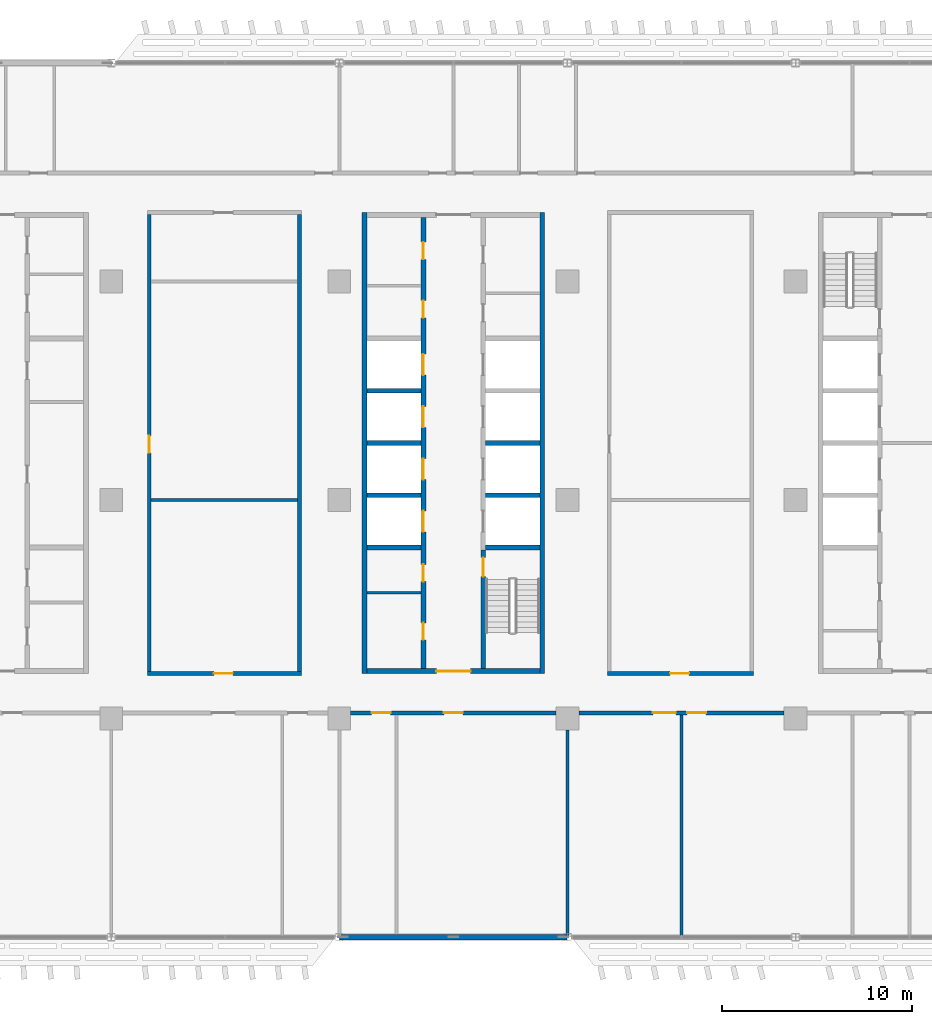
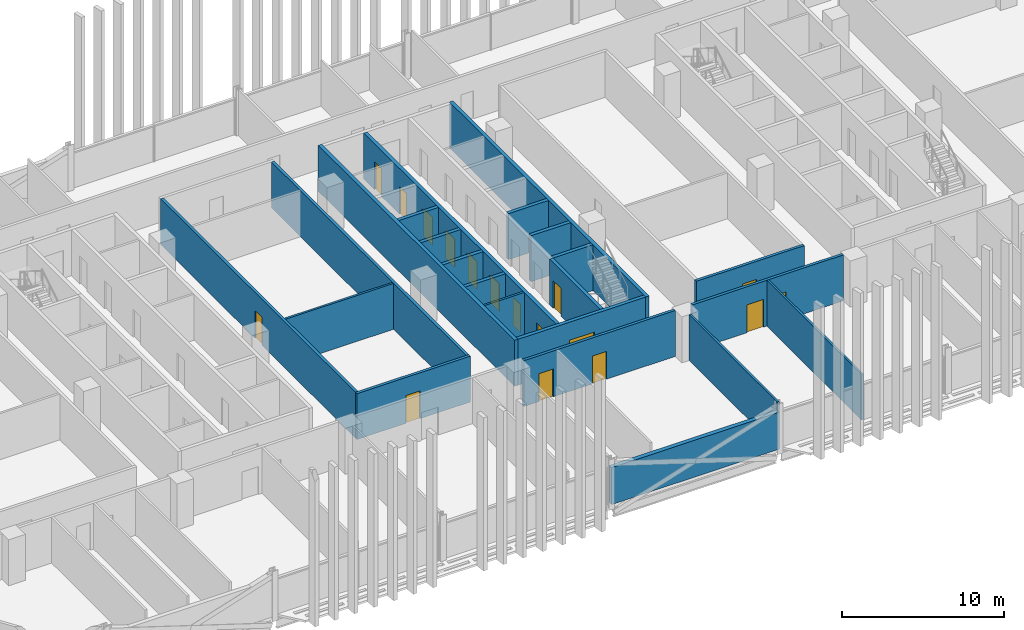
# One storey, part 13 of 28: 23 walls, 17 doors, 17 openings.
"""IFC4 building model written with IfcOpenShell, lengths in metres."""

from ifc_helpers import new_model, si_unit, direction, frame, frame_2d, origin, place, context, subcontext, project, spatial, rectangle, extrude, material, layer, layer_set, type_object, element, fill, save


model = new_model("IFC4")

# Units and contexts
model_context = context("Model", 3, precision=1e-05, world=origin(), true_north=direction((0.0, 1.0)))
body_context = subcontext(model_context, "Body", "Model", "MODEL_VIEW")
ifc_project = project(units=[si_unit("LENGTHUNIT", "METRE"), si_unit("AREAUNIT", "SQUARE_METRE"), si_unit("VOLUMEUNIT", "CUBIC_METRE"), si_unit("PLANEANGLEUNIT", "RADIAN"), si_unit("MASSUNIT", "GRAM", prefix="KILO")], contexts=[model_context])

# Site, building, storey
site_placement = place(None, origin())
site = spatial("IfcSite", under=ifc_project, at=site_placement, CompositionType="ELEMENT")
building_placement = place(site_placement, origin())
building = spatial("IfcBuilding", under=site, at=building_placement, Name="Mahtab Terrace Research Tower", CompositionType="ELEMENT")
storey_placement = place(building_placement, frame((0.0, 0.0, 174.39990234375)))
storey = spatial("IfcBuildingStorey", under=building, at=storey_placement, Name="L41", CompositionType="ELEMENT", Elevation=174.39990234375)

# Walls
ifc_material_1 = material(Name="Gypsum board partition")
ifc_layer_1 = layer(ifc_material_1, 0.14990234375)
ifc_layer_set_1 = layer_set([ifc_layer_1], Name="Core partition 150")
wall_type_1 = type_object("IfcWallType", Name="Core partition 150", PredefinedType="PARTITIONING", material=ifc_layer_set_1)
wall_1_placement = place(storey_placement, frame((-4.550048828125, -4.875, 0.0), z_axis=(0.0, 0.0, 1.0), x_axis=(1.0, 0.0, 0.0)))
element("IfcWall", 1, at=wall_1_placement, inside=storey, type_object=wall_type_1, Name="Core wall B pWS-788", PredefinedType="PARTITIONING", context=body_context, shape_type="SweptSolid", body=[
    extrude(rectangle(XDim=2.85009765625, YDim=0.14990234375, at=frame_2d((1.425048828125, 0.0))), origin(), (0.0, 0.0, 1.0), 3.460205078125),
])
ifc_material_2 = material(Name="Concrete C70/85", Category="concrete")
ifc_layer_2 = layer(ifc_material_2, 0.25)
ifc_layer_set_2 = layer_set([ifc_layer_2], Name="Core wall 250")
wall_type_2 = type_object("IfcWallType", Name="Core wall 250", PredefinedType="SOLIDWALL", material=ifc_layer_set_2)
for number, where, z_axis, x_axis, name in (
    (2, (-4.675048828125, 15.125, 0.0), (0.0, 0.0, 1.0), (0.0, -1.0, 0.0), "Core wall B outerW"),
    (3, (4.675048828125, -9.125, 0.0), (0.0, 0.0, 1.0), (0.0, 1.0, 0.0), "Core wall B outerE"),
):
    element("IfcWall", number, at=place(storey_placement, frame(where, z_axis=z_axis, x_axis=x_axis)), inside=storey, type_object=wall_type_2, Name=name, PredefinedType="SOLIDWALL", context=body_context, shape_type="SweptSolid", body=[
        extrude(rectangle(XDim=24.25, YDim=0.25, at=frame_2d((12.125, 0.0))), origin(), (0.0, 0.0, 1.0), 3.460205078125),
    ])

# Wall, opening, door
wall_2_placement = place(storey_placement, frame((4.550048828125, -9.0, 0.0), z_axis=(0.0, 0.0, 1.0), x_axis=(-1.0, 0.0, 0.0)))
wall_2 = element("IfcWall", 4, at=wall_2_placement, inside=storey, type_object=wall_type_2, Name="Core wall B endS", PredefinedType="SOLIDWALL", context=body_context, shape_type="SweptSolid", body=[
    extrude(rectangle(XDim=9.10009765625, YDim=0.25, at=frame_2d((4.550048828125, 0.0))), origin(), (0.0, 0.0, 1.0), 3.460205078125),
])
opening_1_placement = place(wall_2_placement, frame((3.64990234375, 0.0, 0.0)))
opening_1 = element("IfcOpeningElement", 5, at=opening_1_placement, cuts=wall_2, Name="Opening B-S1", PredefinedType="OPENING", context=body_context, shape_type="SweptSolid", body=[
    extrude(rectangle(XDim=1.800048828125, YDim=2.10009765625, at=frame_2d((0.89990234375, 1.050048828125))), frame((0.0, 0.135009765625, 0.0), z_axis=(0.0, -1.0, 0.0), x_axis=(1.0, 0.0, 0.0)), (0.0, 0.0, 1.0), 0.27001953125),
])
ifc_material_3 = material(Name="Steel fire door", Category="steel")
door_type_1 = type_object("IfcDoorType", Name="Lobby double door 1800x2100 1 HR", OperationType="DOUBLE_DOOR_SINGLE_SWING", PredefinedType="DOOR", material=ifc_material_3)
door_1_placement = place(opening_1_placement, origin())
door_1 = element("IfcDoor", 6, at=door_1_placement, inside=storey, type_object=door_type_1, Name="Core entrance door B S", OperationType="DOUBLE_DOOR_SINGLE_SWING", OverallHeight=2.10009765625, OverallWidth=1.800048828125, PredefinedType="DOOR", context=body_context, shape_type="SweptSolid", body=[
    extrude(rectangle(XDim=1.800048828125, YDim=2.10009765625, at=frame_2d((0.89990234375, 1.050048828125))), frame((0.0, 0.02490234375, 0.0), z_axis=(0.0, -1.0, 0.0), x_axis=(1.0, 0.0, 0.0)), (0.0, 0.0, 1.0), 0.050048828125),
])
fill(opening_1, door_1)

# Wall, openings, doors
wall_3_placement = place(storey_placement, frame((-1.574951171875, -8.875, 0.0), z_axis=(0.0, 0.0, 1.0), x_axis=(0.0, 1.0, 0.0)))
wall_3 = element("IfcWall", 7, at=wall_3_placement, inside=storey, type_object=wall_type_2, Name="Core wall B innerWSLN", PredefinedType="SOLIDWALL", context=body_context, shape_type="SweptSolid", body=[
    extrude(rectangle(XDim=23.75, YDim=0.25, at=frame_2d((11.875, 0.0))), origin(), (0.0, 0.0, 1.0), 3.460205078125),
])
opening_2_placement = place(wall_3_placement, frame((7.199951171875, 0.0, 0.0)))
opening_2 = element("IfcOpeningElement", 8, at=opening_2_placement, cuts=wall_3, Name="Opening LD09-L41", PredefinedType="OPENING", context=body_context, shape_type="SweptSolid", body=[
    extrude(rectangle(XDim=1.10009765625, YDim=2.10009765625, at=frame_2d((0.550048828125, 1.050048828125))), frame((0.0, 0.135009765625, 0.0), z_axis=(0.0, -1.0, 0.0), x_axis=(1.0, 0.0, 0.0)), (0.0, 0.0, 1.0), 0.27001953125),
])
opening_3_placement = place(wall_3_placement, frame((9.949951171875, 0.0, 0.0)))
opening_3 = element("IfcOpeningElement", 9, at=opening_3_placement, cuts=wall_3, Name="Opening LD10-L41", PredefinedType="OPENING", context=body_context, shape_type="SweptSolid", body=[
    extrude(rectangle(XDim=1.10009765625, YDim=2.10009765625, at=frame_2d((0.550048828125, 1.050048828125))), frame((0.0, 0.135009765625, 0.0), z_axis=(0.0, -1.0, 0.0), x_axis=(1.0, 0.0, 0.0)), (0.0, 0.0, 1.0), 0.27001953125),
])
opening_4_placement = place(wall_3_placement, frame((12.699951171875, 0.0, 0.0)))
opening_4 = element("IfcOpeningElement", 10, at=opening_4_placement, cuts=wall_3, Name="Opening LD11-L41", PredefinedType="OPENING", context=body_context, shape_type="SweptSolid", body=[
    extrude(rectangle(XDim=1.10009765625, YDim=2.10009765625, at=frame_2d((0.550048828125, 1.050048828125))), frame((0.0, 0.135009765625, 0.0), z_axis=(0.0, -1.0, 0.0), x_axis=(1.0, 0.0, 0.0)), (0.0, 0.0, 1.0), 0.27001953125),
])
opening_5_placement = place(wall_3_placement, frame((15.449951171875, 0.0, 0.0)))
opening_5 = element("IfcOpeningElement", 11, at=opening_5_placement, cuts=wall_3, Name="Opening LD12-L41", PredefinedType="OPENING", context=body_context, shape_type="SweptSolid", body=[
    extrude(rectangle(XDim=1.10009765625, YDim=2.10009765625, at=frame_2d((0.550048828125, 1.050048828125))), frame((0.0, 0.135009765625, 0.0), z_axis=(0.0, -1.0, 0.0), x_axis=(1.0, 0.0, 0.0)), (0.0, 0.0, 1.0), 0.27001953125),
])
opening_6_placement = place(wall_3_placement, frame((1.512451171875, 0.0, 0.0)))
opening_6 = element("IfcOpeningElement", 12, at=opening_6_placement, cuts=wall_3, Name="Opening B-R1", PredefinedType="OPENING", context=body_context, shape_type="SweptSolid", body=[
    extrude(rectangle(XDim=0.89990234375, YDim=2.10009765625, at=frame_2d((0.449951171875, 1.050048828125))), frame((0.0, 0.135009765625, 0.0), z_axis=(0.0, -1.0, 0.0), x_axis=(1.0, 0.0, 0.0)), (0.0, 0.0, 1.0), 0.27001953125),
])
opening_7_placement = place(wall_3_placement, frame((4.58740234375, 0.0, 0.0)))
opening_7 = element("IfcOpeningElement", 13, at=opening_7_placement, cuts=wall_3, Name="Opening B-R2", PredefinedType="OPENING", context=body_context, shape_type="SweptSolid", body=[
    extrude(rectangle(XDim=0.89990234375, YDim=2.10009765625, at=frame_2d((0.449951171875, 1.050048828125))), frame((0.0, 0.135009765625, 0.0), z_axis=(0.0, -1.0, 0.0), x_axis=(1.0, 0.0, 0.0)), (0.0, 0.0, 1.0), 0.27001953125),
])
opening_8_placement = place(wall_3_placement, frame((18.46240234375, 0.0, 0.0)))
opening_8 = element("IfcOpeningElement", 14, at=opening_8_placement, cuts=wall_3, Name="Opening B-R3", PredefinedType="OPENING", context=body_context, shape_type="SweptSolid", body=[
    extrude(rectangle(XDim=0.89990234375, YDim=2.10009765625, at=frame_2d((0.449951171875, 1.050048828125))), frame((0.0, 0.135009765625, 0.0), z_axis=(0.0, -1.0, 0.0), x_axis=(1.0, 0.0, 0.0)), (0.0, 0.0, 1.0), 0.27001953125),
])
opening_9_placement = place(wall_3_placement, frame((21.53759765625, 0.0, 0.0)))
opening_9 = element("IfcOpeningElement", 15, at=opening_9_placement, cuts=wall_3, Name="Opening B-R4", PredefinedType="OPENING", context=body_context, shape_type="SweptSolid", body=[
    extrude(rectangle(XDim=0.89990234375, YDim=2.10009765625, at=frame_2d((0.449951171875, 1.050048828125))), frame((0.0, 0.135009765625, 0.0), z_axis=(0.0, -1.0, 0.0), x_axis=(1.0, 0.0, 0.0)), (0.0, 0.0, 1.0), 0.27001953125),
])
ifc_material_4 = material(Name="Stainless steel AISI 304", Category="steel")
door_type_2 = type_object("IfcDoorType", Name="Landing door 1100x2100", OperationType="DOUBLE_DOOR_SLIDING", PredefinedType="DOOR", material=ifc_material_4)
door_2_placement = place(opening_2_placement, origin())
door_2 = element("IfcDoor", 16, at=door_2_placement, inside=storey, type_object=door_type_2, Name="Landing door HR1 L41", OperationType="DOUBLE_DOOR_SLIDING", OverallHeight=2.10009765625, OverallWidth=1.10009765625, PredefinedType="DOOR", context=body_context, shape_type="SweptSolid", body=[
    extrude(rectangle(XDim=1.10009765625, YDim=2.10009765625, at=frame_2d((0.550048828125, 1.050048828125))), frame((0.0, 0.02490234375, 0.0), z_axis=(0.0, -1.0, 0.0), x_axis=(1.0, 0.0, 0.0)), (0.0, 0.0, 1.0), 0.050048828125),
])
fill(opening_2, door_2)
door_3_placement = place(opening_3_placement, origin())
door_3 = element("IfcDoor", 17, at=door_3_placement, inside=storey, type_object=door_type_2, Name="Landing door HR2 L41", OperationType="DOUBLE_DOOR_SLIDING", OverallHeight=2.10009765625, OverallWidth=1.10009765625, PredefinedType="DOOR", context=body_context, shape_type="SweptSolid", body=[
    extrude(rectangle(XDim=1.10009765625, YDim=2.10009765625, at=frame_2d((0.550048828125, 1.050048828125))), frame((0.0, 0.02490234375, 0.0), z_axis=(0.0, -1.0, 0.0), x_axis=(1.0, 0.0, 0.0)), (0.0, 0.0, 1.0), 0.050048828125),
])
fill(opening_3, door_3)
door_4_placement = place(opening_4_placement, origin())
door_4 = element("IfcDoor", 18, at=door_4_placement, inside=storey, type_object=door_type_2, Name="Landing door HR3 L41", OperationType="DOUBLE_DOOR_SLIDING", OverallHeight=2.10009765625, OverallWidth=1.10009765625, PredefinedType="DOOR", context=body_context, shape_type="SweptSolid", body=[
    extrude(rectangle(XDim=1.10009765625, YDim=2.10009765625, at=frame_2d((0.550048828125, 1.050048828125))), frame((0.0, 0.02490234375, 0.0), z_axis=(0.0, -1.0, 0.0), x_axis=(1.0, 0.0, 0.0)), (0.0, 0.0, 1.0), 0.050048828125),
])
fill(opening_4, door_4)
door_5_placement = place(opening_5_placement, origin())
door_5 = element("IfcDoor", 19, at=door_5_placement, inside=storey, type_object=door_type_2, Name="Landing door HR4 L41", OperationType="DOUBLE_DOOR_SLIDING", OverallHeight=2.10009765625, OverallWidth=1.10009765625, PredefinedType="DOOR", context=body_context, shape_type="SweptSolid", body=[
    extrude(rectangle(XDim=1.10009765625, YDim=2.10009765625, at=frame_2d((0.550048828125, 1.050048828125))), frame((0.0, 0.02490234375, 0.0), z_axis=(0.0, -1.0, 0.0), x_axis=(1.0, 0.0, 0.0)), (0.0, 0.0, 1.0), 0.050048828125),
])
fill(opening_5, door_5)
door_type_3 = type_object("IfcDoorType", Name="Room door 900x2100 1 HR", OperationType="NOTDEFINED", PredefinedType="DOOR", material=ifc_material_3)
door_6_placement = place(opening_6_placement, origin())
door_6 = element("IfcDoor", 20, at=door_6_placement, inside=storey, type_object=door_type_3, Name="IT equipment room door", OperationType="SINGLE_SWING_LEFT", OverallHeight=2.10009765625, OverallWidth=0.89990234375, PredefinedType="DOOR", context=body_context, shape_type="SweptSolid", body=[
    extrude(rectangle(XDim=0.89990234375, YDim=2.10009765625, at=frame_2d((0.449951171875, 1.050048828125))), frame((0.0, 0.02490234375, 0.0), z_axis=(0.0, -1.0, 0.0), x_axis=(1.0, 0.0, 0.0)), (0.0, 0.0, 1.0), 0.050048828125),
])
fill(opening_6, door_6)
door_7_placement = place(opening_7_placement, origin())
door_7 = element("IfcDoor", 21, at=door_7_placement, inside=storey, type_object=door_type_3, Name="Electrical riser room door", OperationType="SINGLE_SWING_RIGHT", OverallHeight=2.10009765625, OverallWidth=0.89990234375, PredefinedType="DOOR", context=body_context, shape_type="SweptSolid", body=[
    extrude(rectangle(XDim=0.89990234375, YDim=2.10009765625, at=frame_2d((0.449951171875, 1.050048828125))), frame((0.0, 0.02490234375, 0.0), z_axis=(0.0, -1.0, 0.0), x_axis=(1.0, 0.0, 0.0)), (0.0, 0.0, 1.0), 0.050048828125),
])
fill(opening_7, door_7)
door_8_placement = place(opening_8_placement, origin())
door_8 = element("IfcDoor", 22, at=door_8_placement, inside=storey, type_object=door_type_3, Name="Mechanical riser room door", OperationType="SINGLE_SWING_LEFT", OverallHeight=2.10009765625, OverallWidth=0.89990234375, PredefinedType="DOOR", context=body_context, shape_type="SweptSolid", body=[
    extrude(rectangle(XDim=0.89990234375, YDim=2.10009765625, at=frame_2d((0.449951171875, 1.050048828125))), frame((0.0, 0.02490234375, 0.0), z_axis=(0.0, -1.0, 0.0), x_axis=(1.0, 0.0, 0.0)), (0.0, 0.0, 1.0), 0.050048828125),
])
fill(opening_8, door_8)
door_9_placement = place(opening_9_placement, origin())
door_9 = element("IfcDoor", 23, at=door_9_placement, inside=storey, type_object=door_type_3, Name="Chemical store door", OperationType="SINGLE_SWING_RIGHT", OverallHeight=2.10009765625, OverallWidth=0.89990234375, PredefinedType="DOOR", context=body_context, shape_type="SweptSolid", body=[
    extrude(rectangle(XDim=0.89990234375, YDim=2.10009765625, at=frame_2d((0.449951171875, 1.050048828125))), frame((0.0, 0.02490234375, 0.0), z_axis=(0.0, -1.0, 0.0), x_axis=(1.0, 0.0, 0.0)), (0.0, 0.0, 1.0), 0.050048828125),
])
fill(opening_9, door_9)

# Wall, opening, door
wall_4_placement = place(storey_placement, frame((1.574951171875, -8.875, 0.0), z_axis=(0.0, 0.0, 1.0), x_axis=(0.0, 1.0, 0.0)))
wall_4 = element("IfcWall", 24, at=wall_4_placement, inside=storey, type_object=wall_type_2, Name="Core wall B innerES", PredefinedType="SOLIDWALL", context=body_context, shape_type="SweptSolid", body=[
    extrude(rectangle(XDim=6.25, YDim=0.25, at=frame_2d((3.125, 0.0))), origin(), (0.0, 0.0, 1.0), 3.460205078125),
])
opening_10_placement = place(wall_4_placement, frame((4.85009765625, 0.0, 0.0)))
opening_10 = element("IfcOpeningElement", 25, at=opening_10_placement, cuts=wall_4, Name="Opening B-ST2", PredefinedType="OPENING", context=body_context, shape_type="SweptSolid", body=[
    extrude(rectangle(XDim=1.0, YDim=2.10009765625, at=frame_2d((0.5, 1.050048828125))), frame((0.0, 0.135009765625, 0.0), z_axis=(0.0, -1.0, 0.0), x_axis=(1.0, 0.0, 0.0)), (0.0, 0.0, 1.0), 0.27001953125),
])
door_type_4 = type_object("IfcDoorType", Name="Stair door 1000x2100 1.5 HR", OperationType="NOTDEFINED", PredefinedType="DOOR", material=ifc_material_3)
door_10_placement = place(opening_10_placement, origin())
door_10 = element("IfcDoor", 26, at=door_10_placement, inside=storey, type_object=door_type_4, Name="Stair door ST2 L41", OperationType="SINGLE_SWING_LEFT", OverallHeight=2.10009765625, OverallWidth=1.0, PredefinedType="DOOR", context=body_context, shape_type="SweptSolid", body=[
    extrude(rectangle(XDim=1.0, YDim=2.10009765625, at=frame_2d((0.5, 1.050048828125))), frame((0.0, 0.02490234375, 0.0), z_axis=(0.0, -1.0, 0.0), x_axis=(1.0, 0.0, 0.0)), (0.0, 0.0, 1.0), 0.050048828125),
])
fill(opening_10, door_10)

# Walls
for number, where, z_axis, x_axis, name in (
    (27, (-4.550048828125, -2.5, 0.0), (0.0, 0.0, 1.0), (1.0, 0.0, 0.0), "Core wall B divW0"),
    (28, (-4.550048828125, 0.25, 0.0), (0.0, 0.0, 1.0), (1.0, 0.0, 0.0), "Core wall B divW1"),
    (29, (-4.550048828125, 3.0, 0.0), (0.0, 0.0, 1.0), (1.0, 0.0, 0.0), "Core wall B divW2"),
    (30, (-4.550048828125, 5.75, 0.0), (0.0, 0.0, 1.0), (1.0, 0.0, 0.0), "Core wall B divW3"),
    (31, (1.699951171875, -2.5, 0.0), (0.0, 0.0, 1.0), (1.0, 0.0, 0.0), "Core wall B divE0"),
    (32, (1.699951171875, 0.25, 0.0), (0.0, 0.0, 1.0), (1.0, 0.0, 0.0), "Core wall B divE1"),
    (33, (1.699951171875, 3.0, 0.0), (0.0, 0.0, 1.0), (1.0, 0.0, 0.0), "Core wall B divE2"),
):
    element("IfcWall", number, at=place(storey_placement, frame(where, z_axis=z_axis, x_axis=x_axis)), inside=storey, type_object=wall_type_2, Name=name, PredefinedType="SOLIDWALL", context=body_context, shape_type="SweptSolid", body=[
        extrude(rectangle(XDim=2.85009765625, YDim=0.25, at=frame_2d((1.425048828125, 0.0))), origin(), (0.0, 0.0, 1.0), 3.460205078125),
    ])
ifc_material_5 = material(Name="Black aluminium cladding panel", Category="aluminium")
ifc_layer_3 = layer(ifc_material_5, 0.300048828125)
ifc_layer_set_3 = layer_set([ifc_layer_3], Name="Opaque facade wall 300")
wall_type_3 = type_object("IfcWallType", Name="Opaque facade wall 300", PredefinedType="NOTDEFINED", material=ifc_layer_set_3)
wall_5_placement = place(storey_placement, frame((-5.985107421875, -23.0, 0.0), z_axis=(0.0, 0.0, 1.0), x_axis=(1.0, 0.0, 0.0)))
element("IfcWall", 34, at=wall_5_placement, inside=storey, type_object=wall_type_3, Name="Opaque facade wall L41 S26", PredefinedType="NOTDEFINED", context=body_context, shape_type="SweptSolid", body=[
    extrude(rectangle(XDim=11.97021484375, YDim=0.300048828125, at=frame_2d((5.985107421875, 0.0))), origin(), (0.0, 0.0, 1.0), 2.781982421875),
])

# Wall, openings, doors
ifc_material_6 = material(Name="Gypsum board corridor wall on steel studs", Category="steel")
ifc_layer_4 = layer(ifc_material_6, 0.199951171875)
ifc_layer_set_4 = layer_set([ifc_layer_4], Name="WALL CORRIDOR 200")
wall_type_4 = type_object("IfcWallType", Name="WALL CORRIDOR 200", PredefinedType="PARTITIONING", material=ifc_layer_set_4)
wall_6_placement = place(storey_placement, frame((-5.39990234375, -11.199951171875, 0.0), z_axis=(0.0, 0.0, 1.0), x_axis=(1.0, 0.0, 0.0)))
wall_6 = element("IfcWall", 35, at=wall_6_placement, inside=storey, type_object=wall_type_4, Name="L41-W005", PredefinedType="PARTITIONING", context=body_context, shape_type="SweptSolid", body=[
    extrude(rectangle(XDim=10.7998046875, YDim=0.199951171875, at=frame_2d((5.39990234375, 0.0))), origin(), (0.0, 0.0, 1.0), 3.460205078125),
])
opening_11_placement = place(wall_6_placement, frame((1.10009765625, 0.0, 0.0)))
opening_11 = element("IfcOpeningElement", 36, at=opening_11_placement, cuts=wall_6, Name="Opening L41-108", PredefinedType="OPENING", context=body_context, shape_type="SweptSolid", body=[
    extrude(rectangle(XDim=1.0, YDim=2.10009765625, at=frame_2d((0.5, 1.050048828125))), frame((0.0, 0.10986328125, 0.0), z_axis=(0.0, -1.0, 0.0), x_axis=(1.0, 0.0, 0.0)), (0.0, 0.0, 1.0), 0.219970703125),
])
opening_12_placement = place(wall_6_placement, frame((4.89990234375, 0.0, 0.0)))
opening_12 = element("IfcOpeningElement", 37, at=opening_12_placement, cuts=wall_6, Name="Opening L41-109", PredefinedType="OPENING", context=body_context, shape_type="SweptSolid", body=[
    extrude(rectangle(XDim=1.0, YDim=2.10009765625, at=frame_2d((0.5, 1.050048828125))), frame((0.0, 0.10986328125, 0.0), z_axis=(0.0, -1.0, 0.0), x_axis=(1.0, 0.0, 0.0)), (0.0, 0.0, 1.0), 0.219970703125),
])
ifc_material_7 = material(Name="Timber door leaf in steel frame", Category="steel")
door_type_5 = type_object("IfcDoorType", Name="DOOR 1000X2100 FD30S", OperationType="SINGLE_SWING_LEFT", PredefinedType="DOOR", material=ifc_material_7)
door_11_placement = place(opening_11_placement, origin())
door_11 = element("IfcDoor", 38, at=door_11_placement, inside=storey, type_object=door_type_5, Name="Door L41-108", OperationType="SINGLE_SWING_RIGHT", OverallHeight=2.10009765625, OverallWidth=1.0, PredefinedType="DOOR", context=body_context, shape_type="SweptSolid", body=[
    extrude(rectangle(XDim=1.0, YDim=2.10009765625, at=frame_2d((0.5, 1.050048828125))), frame((0.0, 0.02490234375, 0.0), z_axis=(0.0, -1.0, 0.0), x_axis=(1.0, 0.0, 0.0)), (0.0, 0.0, 1.0), 0.050048828125),
])
fill(opening_11, door_11)
door_12_placement = place(opening_12_placement, origin())
door_12 = element("IfcDoor", 39, at=door_12_placement, inside=storey, type_object=door_type_5, Name="Door L41-109", OperationType="SINGLE_SWING_RIGHT", OverallHeight=2.10009765625, OverallWidth=1.0, PredefinedType="DOOR", context=body_context, shape_type="SweptSolid", body=[
    extrude(rectangle(XDim=1.0, YDim=2.10009765625, at=frame_2d((0.5, 1.050048828125))), frame((0.0, 0.02490234375, 0.0), z_axis=(0.0, -1.0, 0.0), x_axis=(1.0, 0.0, 0.0)), (0.0, 0.0, 1.0), 0.050048828125),
])
fill(opening_12, door_12)

wall_7_placement = place(storey_placement, frame((6.60009765625, -11.199951171875, 0.0), z_axis=(0.0, 0.0, 1.0), x_axis=(1.0, 0.0, 0.0)))
wall_7 = element("IfcWall", 40, at=wall_7_placement, inside=storey, type_object=wall_type_4, Name="L41-W006", PredefinedType="PARTITIONING", context=body_context, shape_type="SweptSolid", body=[
    extrude(rectangle(XDim=10.7998046875, YDim=0.199951171875, at=frame_2d((5.39990234375, 0.0))), origin(), (0.0, 0.0, 1.0), 3.460205078125),
])
opening_13_placement = place(wall_7_placement, frame((3.89990234375, 0.0, 0.0)))
opening_13 = element("IfcOpeningElement", 41, at=opening_13_placement, cuts=wall_7, Name="Opening L41-110", PredefinedType="OPENING", context=body_context, shape_type="SweptSolid", body=[
    extrude(rectangle(XDim=1.199951171875, YDim=2.10009765625, at=frame_2d((0.60009765625, 1.050048828125))), frame((0.0, 0.10986328125, 0.0), z_axis=(0.0, -1.0, 0.0), x_axis=(1.0, 0.0, 0.0)), (0.0, 0.0, 1.0), 0.219970703125),
])
opening_14_placement = place(wall_7_placement, frame((5.699951171875, 0.0, 0.0)))
opening_14 = element("IfcOpeningElement", 42, at=opening_14_placement, cuts=wall_7, Name="Opening L41-111", PredefinedType="OPENING", context=body_context, shape_type="SweptSolid", body=[
    extrude(rectangle(XDim=1.0, YDim=2.10009765625, at=frame_2d((0.5, 1.050048828125))), frame((0.0, 0.10986328125, 0.0), z_axis=(0.0, -1.0, 0.0), x_axis=(1.0, 0.0, 0.0)), (0.0, 0.0, 1.0), 0.219970703125),
])
door_13_placement = place(opening_14_placement, origin())
door_13 = element("IfcDoor", 43, at=door_13_placement, inside=storey, type_object=door_type_5, Name="Door L41-111", OperationType="SINGLE_SWING_LEFT", OverallHeight=2.10009765625, OverallWidth=1.0, PredefinedType="DOOR", context=body_context, shape_type="SweptSolid", body=[
    extrude(rectangle(XDim=1.0, YDim=2.10009765625, at=frame_2d((0.5, 1.050048828125))), frame((0.0, 0.02490234375, 0.0), z_axis=(0.0, -1.0, 0.0), x_axis=(1.0, 0.0, 0.0)), (0.0, 0.0, 1.0), 0.050048828125),
])
fill(opening_14, door_13)
door_type_6 = type_object("IfcDoorType", Name="DOOR 1200X2100 FD30S", OperationType="SINGLE_SWING_LEFT", PredefinedType="DOOR", material=ifc_material_7)
door_14_placement = place(opening_13_placement, origin())
door_14 = element("IfcDoor", 44, at=door_14_placement, inside=storey, type_object=door_type_6, Name="Door L41-110", OperationType="SINGLE_SWING_RIGHT", OverallHeight=2.10009765625, OverallWidth=1.199951171875, PredefinedType="DOOR", context=body_context, shape_type="SweptSolid", body=[
    extrude(rectangle(XDim=1.199951171875, YDim=2.10009765625, at=frame_2d((0.60009765625, 1.050048828125))), frame((0.0, 0.02490234375, 0.0), z_axis=(0.0, -1.0, 0.0), x_axis=(1.0, 0.0, 0.0)), (0.0, 0.0, 1.0), 0.050048828125),
])
fill(opening_13, door_14)

# Wall, opening, door
wall_8_placement = place(storey_placement, frame((-16.10009765625, -9.125, 0.0), z_axis=(0.0, 0.0, 1.0), x_axis=(1.0, 0.0, 0.0)))
wall_8 = element("IfcWall", 45, at=wall_8_placement, inside=storey, type_object=wall_type_4, Name="L41-W011", PredefinedType="PARTITIONING", context=body_context, shape_type="SweptSolid", body=[
    extrude(rectangle(XDim=8.10009765625, YDim=0.199951171875, at=frame_2d((4.050048828125, 0.0))), origin(), (0.0, 0.0, 1.0), 3.460205078125),
])
opening_15_placement = place(wall_8_placement, frame((3.5, 0.0, 0.0)))
opening_15 = element("IfcOpeningElement", 46, at=opening_15_placement, cuts=wall_8, Name="Opening L41-118", PredefinedType="OPENING", context=body_context, shape_type="SweptSolid", body=[
    extrude(rectangle(XDim=1.0, YDim=2.10009765625, at=frame_2d((0.5, 1.050048828125))), frame((0.0, 0.10986328125, 0.0), z_axis=(0.0, -1.0, 0.0), x_axis=(1.0, 0.0, 0.0)), (0.0, 0.0, 1.0), 0.219970703125),
])
door_15_placement = place(opening_15_placement, origin())
door_15 = element("IfcDoor", 47, at=door_15_placement, inside=storey, type_object=door_type_5, Name="Door L41-118", OperationType="SINGLE_SWING_LEFT", OverallHeight=2.10009765625, OverallWidth=1.0, PredefinedType="DOOR", context=body_context, shape_type="SweptSolid", body=[
    extrude(rectangle(XDim=1.0, YDim=2.10009765625, at=frame_2d((0.5, 1.050048828125))), frame((0.0, 0.02490234375, 0.0), z_axis=(0.0, -1.0, 0.0), x_axis=(1.0, 0.0, 0.0)), (0.0, 0.0, 1.0), 0.050048828125),
])
fill(opening_15, door_15)

wall_9_placement = place(storey_placement, frame((8.10009765625, -9.125, 0.0), z_axis=(0.0, 0.0, 1.0), x_axis=(1.0, 0.0, 0.0)))
wall_9 = element("IfcWall", 48, at=wall_9_placement, inside=storey, type_object=wall_type_4, Name="L41-W012", PredefinedType="PARTITIONING", context=body_context, shape_type="SweptSolid", body=[
    extrude(rectangle(XDim=7.699951171875, YDim=0.199951171875, at=frame_2d((3.85009765625, 0.0))), origin(), (0.0, 0.0, 1.0), 3.460205078125),
])
opening_16_placement = place(wall_9_placement, frame((3.300048828125, 0.0, 0.0)))
opening_16 = element("IfcOpeningElement", 49, at=opening_16_placement, cuts=wall_9, Name="Opening L41-119", PredefinedType="OPENING", context=body_context, shape_type="SweptSolid", body=[
    extrude(rectangle(XDim=1.0, YDim=2.10009765625, at=frame_2d((0.5, 1.050048828125))), frame((0.0, 0.10986328125, 0.0), z_axis=(0.0, -1.0, 0.0), x_axis=(1.0, 0.0, 0.0)), (0.0, 0.0, 1.0), 0.219970703125),
])
door_16_placement = place(opening_16_placement, origin())
door_16 = element("IfcDoor", 50, at=door_16_placement, inside=storey, type_object=door_type_5, Name="Door L41-119", OperationType="SINGLE_SWING_LEFT", OverallHeight=2.10009765625, OverallWidth=1.0, PredefinedType="DOOR", context=body_context, shape_type="SweptSolid", body=[
    extrude(rectangle(XDim=1.0, YDim=2.10009765625, at=frame_2d((0.5, 1.050048828125))), frame((0.0, 0.02490234375, 0.0), z_axis=(0.0, -1.0, 0.0), x_axis=(1.0, 0.0, 0.0)), (0.0, 0.0, 1.0), 0.050048828125),
])
fill(opening_16, door_16)

wall_10_placement = place(storey_placement, frame((-16.0, -9.02490234375, 0.0), z_axis=(0.0, 0.0, 1.0), x_axis=(0.0, 1.0, 0.0)))
wall_10 = element("IfcWall", 51, at=wall_10_placement, inside=storey, type_object=wall_type_4, Name="L41-W038", PredefinedType="PARTITIONING", context=body_context, shape_type="SweptSolid", body=[
    extrude(rectangle(XDim=24.0498046875, YDim=0.199951171875, at=frame_2d((12.02490234375, 0.0))), origin(), (0.0, 0.0, 1.0), 3.460205078125),
])
opening_17_placement = place(wall_10_placement, frame((11.5, 0.0, 0.0)))
opening_17 = element("IfcOpeningElement", 52, at=opening_17_placement, cuts=wall_10, Name="Opening L41-121", PredefinedType="OPENING", context=body_context, shape_type="SweptSolid", body=[
    extrude(rectangle(XDim=0.89990234375, YDim=2.10009765625, at=frame_2d((0.449951171875, 1.050048828125))), frame((0.0, 0.10986328125, 0.0), z_axis=(0.0, -1.0, 0.0), x_axis=(1.0, 0.0, 0.0)), (0.0, 0.0, 1.0), 0.219970703125),
])
door_type_7 = type_object("IfcDoorType", Name="DOOR 0900X2100 FD30S", OperationType="SINGLE_SWING_LEFT", PredefinedType="DOOR", material=ifc_material_7)
door_17_placement = place(opening_17_placement, origin())
door_17 = element("IfcDoor", 53, at=door_17_placement, inside=storey, type_object=door_type_7, Name="Door L41-121", OperationType="SINGLE_SWING_RIGHT", OverallHeight=2.10009765625, OverallWidth=0.89990234375, PredefinedType="DOOR", context=body_context, shape_type="SweptSolid", body=[
    extrude(rectangle(XDim=0.89990234375, YDim=2.10009765625, at=frame_2d((0.449951171875, 1.050048828125))), frame((0.0, 0.02490234375, 0.0), z_axis=(0.0, -1.0, 0.0), x_axis=(1.0, 0.0, 0.0)), (0.0, 0.0, 1.0), 0.050048828125),
])
fill(opening_17, door_17)

# Walls
wall_11_placement = place(storey_placement, frame((-8.10009765625, -9.02490234375, 0.0), z_axis=(0.0, 0.0, 1.0), x_axis=(0.0, 1.0, 0.0)))
element("IfcWall", 54, at=wall_11_placement, inside=storey, type_object=wall_type_4, Name="L41-W040", PredefinedType="PARTITIONING", context=body_context, shape_type="SweptSolid", body=[
    extrude(rectangle(XDim=24.0498046875, YDim=0.199951171875, at=frame_2d((12.02490234375, 0.0))), origin(), (0.0, 0.0, 1.0), 3.460205078125),
])
ifc_material_8 = material(Name="Gypsum board partition on steel studs", Category="steel")
ifc_layer_5 = layer(ifc_material_8, 0.14990234375)
ifc_layer_set_5 = layer_set([ifc_layer_5], Name="WALL PARTITION 150")
wall_type_5 = type_object("IfcWallType", Name="WALL PARTITION 150", PredefinedType="PARTITIONING", material=ifc_layer_set_5)
wall_12_placement = place(storey_placement, frame((-15.89990234375, 0.0, 0.0), z_axis=(0.0, 0.0, 1.0), x_axis=(1.0, 0.0, 0.0)))
element("IfcWall", 55, at=wall_12_placement, inside=storey, type_object=wall_type_5, Name="L41-W016", PredefinedType="PARTITIONING", context=body_context, shape_type="SweptSolid", body=[
    extrude(rectangle(XDim=7.699951171875, YDim=0.14990234375, at=frame_2d((3.85009765625, 0.0))), origin(), (0.0, 0.0, 1.0), 3.460205078125),
])
wall_13_placement = place(storey_placement, frame((6.0, -22.97509765625, 0.0), z_axis=(0.0, 0.0, 1.0), x_axis=(0.0, 1.0, 0.0)))
element("IfcWall", 56, at=wall_13_placement, inside=storey, type_object=wall_type_5, Name="L41-W046", PredefinedType="PARTITIONING", context=body_context, shape_type="SweptSolid", body=[
    extrude(rectangle(XDim=10.875, YDim=0.14990234375, at=frame_2d((5.4375, 0.0))), origin(), (0.0, 0.0, 1.0), 3.460205078125),
])
wall_14_placement = place(storey_placement, frame((12.0, -22.97509765625, 0.0), z_axis=(0.0, 0.0, 1.0), x_axis=(0.0, 1.0, 0.0)))
element("IfcWall", 57, at=wall_14_placement, inside=storey, type_object=wall_type_5, Name="L41-W049", PredefinedType="PARTITIONING", context=body_context, shape_type="SweptSolid", body=[
    extrude(rectangle(XDim=11.675048828125, YDim=0.14990234375, at=frame_2d((5.83740234375, 0.0))), origin(), (0.0, 0.0, 1.0), 3.460205078125),
])

save(model, "model.ifc")
